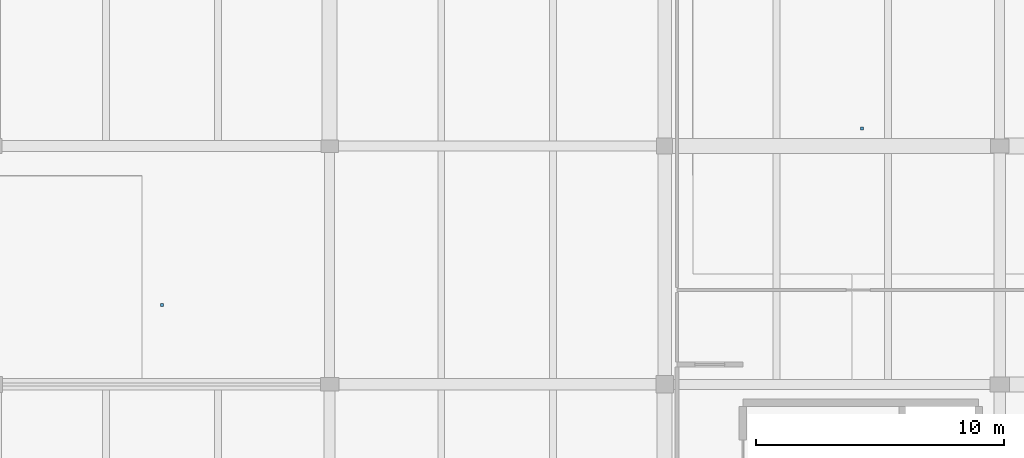
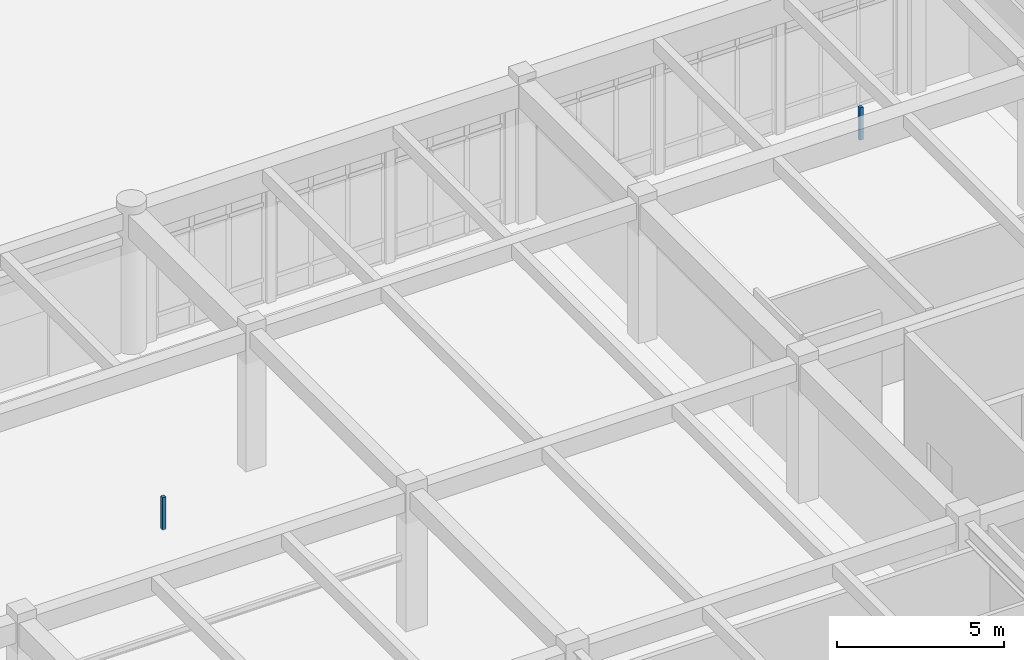
# One storey, part 120 of 138: 2 discrete accessories.
"""IFC4 building model written with IfcOpenShell, lengths in metres."""

from ifc_helpers import new_model, si_unit, direction, frame, origin, origin_2d, place, context, subcontext, project, spatial, rectangle, extrude, material, type_object, element, save


model = new_model("IFC4")

# Units and contexts
model_context = context("Model", 3, precision=1e-05, world=origin(), true_north=direction((0.0, 1.0)))
body_context = subcontext(model_context, "Body", "Model", "MODEL_VIEW")
ifc_project = project(units=[si_unit("LENGTHUNIT", "METRE"), si_unit("AREAUNIT", "SQUARE_METRE"), si_unit("VOLUMEUNIT", "CUBIC_METRE"), si_unit("PLANEANGLEUNIT", "RADIAN"), si_unit("MASSUNIT", "GRAM", prefix="KILO")], contexts=[model_context])

# Site, building, storey
site_placement = place(None, origin())
site = spatial("IfcSite", under=ifc_project, at=site_placement, CompositionType="ELEMENT")
building_placement = place(site_placement, origin())
building = spatial("IfcBuilding", under=site, at=building_placement, Name="Fikremerkos Civic Library", CompositionType="ELEMENT")
storey_placement = place(building_placement, origin())
storey = spatial("IfcBuildingStorey", under=building, at=storey_placement, Name="L00", CompositionType="ELEMENT", Elevation=0.0)

# Discrete accessories
ifc_material = material(Name="Galvanized Steel S275", Category="steel")
discrete_accessory_type = type_object("IfcDiscreteAccessoryType", Name="Ceiling hanger bracket BRK-01", PredefinedType="BRACKET", material=ifc_material)
for number, where, z_axis, x_axis, name in (
    (1, (79.949951171875, 34.39990234375, 3.93994140625), (0.0, 0.0, 1.0), (1.0, 0.0, 0.0), "Acoustic ceiling hanger bracket #21"),
    (2, (108.14990234375, 41.5, 4.0), (0.0, 0.0, 1.0), (1.0, 0.0, 0.0), "Acoustic ceiling hanger bracket #23"),
):
    element("IfcDiscreteAccessory", number, at=place(storey_placement, frame(where, z_axis=z_axis, x_axis=x_axis)), inside=storey, type_object=discrete_accessory_type, Name=name, PredefinedType="BRACKET", context=body_context, shape_type="SweptSolid", body=[
        extrude(rectangle(XDim=0.1201171875, YDim=0.1201171875, at=origin_2d()), origin(), (0.0, 0.0, 1.0), 1.179931640625),
    ])

save(model, "model.ifc")
